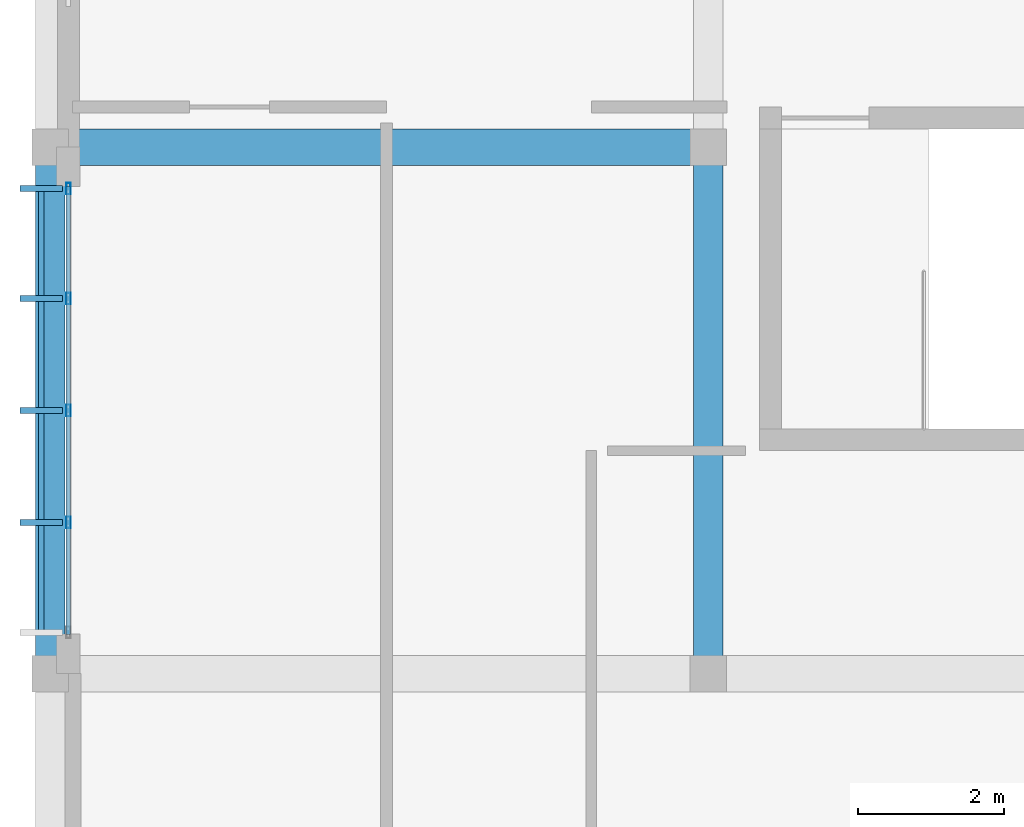
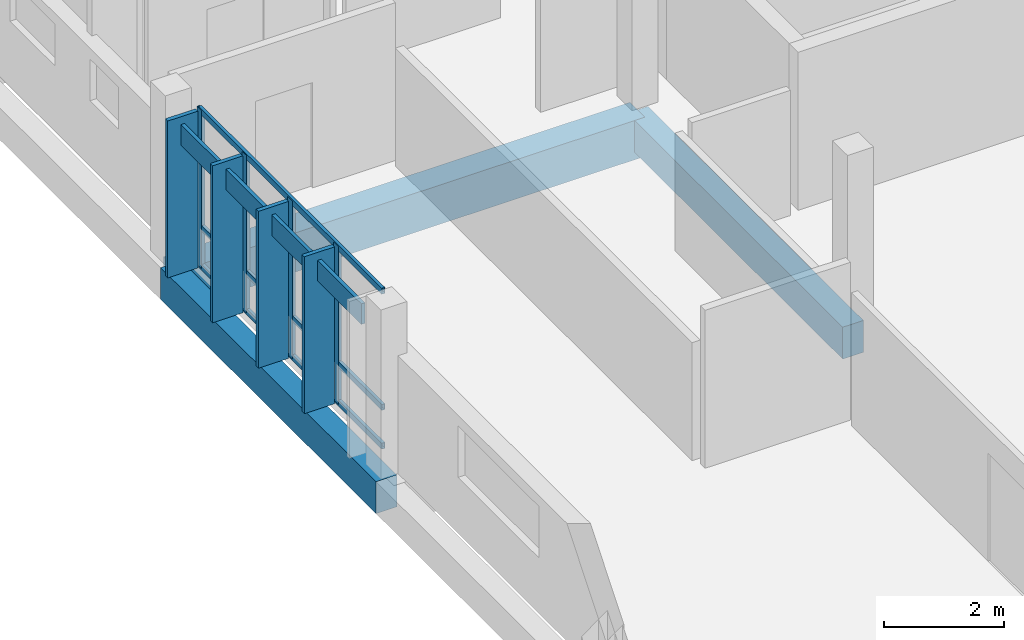
# One storey, part 7 of 24: 12 members, 3 beams, 1 element without a shape of its own.
"""IFC4 building model written with IfcOpenShell, lengths in metres."""

from ifc_helpers import new_model, si_unit, direction, frame, origin, origin_2d, place, context, subcontext, project, spatial, rectangle, hollow_rectangle, extrude, material, material_profile, profile_set, type_object, element, aggregate, save


model = new_model("IFC4")

# Units and contexts
model_context = context("Model", 3, precision=1e-05, world=origin(), true_north=direction((0.0, 1.0)))
body_context = subcontext(model_context, "Body", "Model", "MODEL_VIEW")
ifc_project = project(units=[si_unit("LENGTHUNIT", "METRE"), si_unit("AREAUNIT", "SQUARE_METRE"), si_unit("VOLUMEUNIT", "CUBIC_METRE"), si_unit("PLANEANGLEUNIT", "RADIAN"), si_unit("MASSUNIT", "GRAM", prefix="KILO")], contexts=[model_context])

# Site, building, storey
site_placement = place(None, origin())
site = spatial("IfcSite", under=ifc_project, at=site_placement, CompositionType="ELEMENT")
building_placement = place(site_placement, origin())
building = spatial("IfcBuilding", under=site, at=building_placement, Name="Chiffa Square Polytechnic", CompositionType="ELEMENT")
storey_placement = place(building_placement, frame((0.0, 0.0, 26.39990234375)))
storey = spatial("IfcBuildingStorey", under=building, at=storey_placement, Name="L06", CompositionType="ELEMENT", Elevation=26.39990234375)

# Beams
ifc_material_1 = material(Name="Concrete C35/45", Category="concrete")
ifc_material_profile_1 = material_profile(ifc_material_1, rectangle(XDim=0.39990234375, YDim=0.64990234375, at=origin_2d()), Name="RC 400x650")
ifc_profile_set_1 = profile_set([ifc_material_profile_1], Name="Concrete C35/45")
beam_type_1 = type_object("IfcBeamType", Name="BM-RC-400X650", PredefinedType="BEAM", material=ifc_profile_set_1)
for number, where, z_axis, x_axis, name in (
    (1, (112.199951171875, 14.39990234375, -0.544921875), (0.0, 1.0, 0.0), (-1.0, 0.0, 0.0), "Primary floor girder BM-V1-L06-Y-1122-0144"),
    (2, (121.199951171875, 14.39990234375, -0.544921875), (0.0, 1.0, 0.0), (-1.0, 0.0, 0.0), "Primary floor girder BM-V1-L06-Y-1212-0144"),
):
    element("IfcBeam", number, at=place(storey_placement, frame(where, z_axis=z_axis, x_axis=x_axis)), inside=storey, type_object=beam_type_1, Name=name, PredefinedType="BEAM", context=body_context, shape_type="SweptSolid", body=[
        extrude(rectangle(XDim=0.39990234375, YDim=0.64990234375, at=origin_2d()), origin(), (0.0, 0.0, 1.0), 7.2001953125),
    ])
ifc_material_2 = material(Name="Concrete C40/50", Category="concrete")
ifc_material_profile_2 = material_profile(ifc_material_2, rectangle(XDim=0.5, YDim=0.800048828125, at=origin_2d()), Name="RC 500x800")
ifc_profile_set_2 = profile_set([ifc_material_profile_2], Name="Concrete C40/50")
beam_type_2 = type_object("IfcBeamType", Name="BM-RC-500X800", PredefinedType="BEAM", material=ifc_profile_set_2)
beam_placement = place(storey_placement, frame((112.199951171875, 21.60009765625, -0.619873046875), z_axis=(1.0, 0.0, 0.0), x_axis=(0.0, 1.0, 0.0)))
element("IfcBeam", 3, at=beam_placement, inside=storey, type_object=beam_type_2, Name="Primary floor girder BM-V1-L06-X-1122-0216", PredefinedType="BEAM", context=body_context, shape_type="SweptSolid", body=[
    extrude(rectangle(XDim=0.5, YDim=0.800048828125, at=origin_2d()), origin(), (0.0, 0.0, 1.0), 9.0),
])

# Curtain wall, members
ifc_material_3 = material(Name="Aluminium EN AW-6060 T66 and glulam shading", Category="wood")
curtain_wall_type = type_object("IfcCurtainWallType", Name="CW-VERT-600X440", PredefinedType="USERDEFINED", material=ifc_material_3)
curtain_wall_placement = place(storey_placement, origin())
curtain_wall = element("IfcCurtainWall", 4, at=curtain_wall_placement, inside=storey, type_object=curtain_wall_type, Name="Curtain wall CW-V1-L06-145", ObjectType="CURTAIN WALL", PredefinedType="USERDEFINED")
ifc_material_4 = material(Name="Aluminium EN AW-6060 T66", Category="aluminium")
ifc_material_profile_3 = material_profile(ifc_material_4, hollow_rectangle(XDim=0.06005859375, YDim=0.159912109375, WallThickness=0.00390625, at=origin_2d()), Name="ALU 60x160x4")
ifc_profile_set_3 = profile_set([ifc_material_profile_3], Name="Aluminium EN AW-6060 T66")
member_type_1 = type_object("IfcMemberType", Name="CWM-ALU-65X150", PredefinedType="MULLION", material=ifc_profile_set_3)
member_1_placement = place(storey_placement, frame((112.449951171875, 21.034912109375, 0.0), z_axis=(0.0, 0.0, 1.0), x_axis=(1.0, 0.0, 0.0)))
member_1 = element("IfcMember", 5, at=member_1_placement, type_object=member_type_1, Name="Curtain wall mullion CW-V1-L06-145-M00", PredefinedType="MULLION", context=body_context, shape_type="SweptSolid", body=[
    extrude(hollow_rectangle(XDim=0.06005859375, YDim=0.159912109375, WallThickness=0.00390625, at=origin_2d()), origin(), (0.0, 0.0, 1.0), 3.22021484375),
])
member_2_placement = place(storey_placement, frame((112.449951171875, 19.530029296875, 0.0), z_axis=(0.0, 0.0, 1.0), x_axis=(1.0, 0.0, 0.0)))
member_2 = element("IfcMember", 6, at=member_2_placement, type_object=member_type_1, Name="Curtain wall mullion CW-V1-L06-145-M01", PredefinedType="MULLION", context=body_context, shape_type="SweptSolid", body=[
    extrude(hollow_rectangle(XDim=0.06005859375, YDim=0.159912109375, WallThickness=0.00390625, at=origin_2d()), origin(), (0.0, 0.0, 1.0), 3.22021484375),
])
member_3_placement = place(storey_placement, frame((112.449951171875, 18.0, 0.0), z_axis=(0.0, 0.0, 1.0), x_axis=(1.0, 0.0, 0.0)))
member_3 = element("IfcMember", 7, at=member_3_placement, type_object=member_type_1, Name="Curtain wall mullion CW-V1-L06-145-M02", PredefinedType="MULLION", context=body_context, shape_type="SweptSolid", body=[
    extrude(hollow_rectangle(XDim=0.06005859375, YDim=0.159912109375, WallThickness=0.00390625, at=origin_2d()), origin(), (0.0, 0.0, 1.0), 3.22021484375),
])
member_4_placement = place(storey_placement, frame((112.449951171875, 16.469970703125, 0.0), z_axis=(0.0, 0.0, 1.0), x_axis=(1.0, 0.0, 0.0)))
member_4 = element("IfcMember", 8, at=member_4_placement, type_object=member_type_1, Name="Curtain wall mullion CW-V1-L06-145-M03", PredefinedType="MULLION", context=body_context, shape_type="SweptSolid", body=[
    extrude(hollow_rectangle(XDim=0.06005859375, YDim=0.159912109375, WallThickness=0.00390625, at=origin_2d()), origin(), (0.0, 0.0, 1.0), 3.22021484375),
])
ifc_material_5 = material(Name="Glulam GL28h", Category="wood")
ifc_material_profile_4 = material_profile(ifc_material_5, rectangle(XDim=0.080078125, YDim=0.580078125, at=origin_2d()), Name="GL28h 80x580")
ifc_profile_set_4 = profile_set([ifc_material_profile_4], Name="Glulam GL28h")
member_type_2 = type_object("IfcMemberType", Name="CWM-GL-80X580", PredefinedType="MULLION", material=ifc_profile_set_4)
member_5_placement = place(storey_placement, frame((112.077880859375, 21.034912109375, 0.010009765625), z_axis=(0.0, 0.0, 1.0), x_axis=(0.0, -1.0, 0.0)))
member_5 = element("IfcMember", 9, at=member_5_placement, type_object=member_type_2, Name="Exterior glulam solar fin CW-V1-L06-145-FN00", PredefinedType="MULLION", context=body_context, shape_type="SweptSolid", body=[
    extrude(rectangle(XDim=0.080078125, YDim=0.580078125, at=origin_2d()), origin(), (0.0, 0.0, 1.0), 3.2001953125),
])
member_6_placement = place(storey_placement, frame((112.077880859375, 19.530029296875, 0.010009765625), z_axis=(0.0, 0.0, 1.0), x_axis=(0.0, -1.0, 0.0)))
member_6 = element("IfcMember", 10, at=member_6_placement, type_object=member_type_2, Name="Exterior glulam solar fin CW-V1-L06-145-FN01", PredefinedType="MULLION", context=body_context, shape_type="SweptSolid", body=[
    extrude(rectangle(XDim=0.080078125, YDim=0.580078125, at=origin_2d()), origin(), (0.0, 0.0, 1.0), 3.2001953125),
])
member_7_placement = place(storey_placement, frame((112.077880859375, 18.0, 0.010009765625), z_axis=(0.0, 0.0, 1.0), x_axis=(0.0, -1.0, 0.0)))
member_7 = element("IfcMember", 11, at=member_7_placement, type_object=member_type_2, Name="Exterior glulam solar fin CW-V1-L06-145-FN02", PredefinedType="MULLION", context=body_context, shape_type="SweptSolid", body=[
    extrude(rectangle(XDim=0.080078125, YDim=0.580078125, at=origin_2d()), origin(), (0.0, 0.0, 1.0), 3.2001953125),
])
member_8_placement = place(storey_placement, frame((112.077880859375, 16.469970703125, 0.010009765625), z_axis=(0.0, 0.0, 1.0), x_axis=(0.0, -1.0, 0.0)))
member_8 = element("IfcMember", 12, at=member_8_placement, type_object=member_type_2, Name="Exterior glulam solar fin CW-V1-L06-145-FN03", PredefinedType="MULLION", context=body_context, shape_type="SweptSolid", body=[
    extrude(rectangle(XDim=0.080078125, YDim=0.580078125, at=origin_2d()), origin(), (0.0, 0.0, 1.0), 3.2001953125),
])
ifc_material_profile_5 = material_profile(ifc_material_4, hollow_rectangle(XDim=0.06005859375, YDim=0.1201171875, WallThickness=0.00390625, at=origin_2d()), Name="ALU 60x120x4")
ifc_profile_set_5 = profile_set([ifc_material_profile_5], Name="Aluminium EN AW-6060 T66")
member_type_3 = type_object("IfcMemberType", Name="CWT-ALU-65X120", PredefinedType="USERDEFINED", material=ifc_profile_set_5)
member_9_placement = place(storey_placement, frame((112.449951171875, 21.06201171875, 0.030029296875), z_axis=(0.0, -1.0, 0.0), x_axis=(1.0, 0.0, 0.0)))
member_9 = element("IfcMember", 13, at=member_9_placement, type_object=member_type_3, Name="Curtain wall transom CW-V1-L06-145-T01", ObjectType="TRANSOM", PredefinedType="USERDEFINED", context=body_context, shape_type="SweptSolid", body=[
    extrude(hollow_rectangle(XDim=0.06005859375, YDim=0.1201171875, WallThickness=0.00390625, at=origin_2d()), origin(), (0.0, 0.0, 1.0), 6.1240234375),
])
member_10_placement = place(storey_placement, frame((112.449951171875, 21.06201171875, 0.820068359375), z_axis=(0.0, -1.0, 0.0), x_axis=(1.0, 0.0, 0.0)))
member_10 = element("IfcMember", 14, at=member_10_placement, type_object=member_type_3, Name="Curtain wall transom CW-V1-L06-145-T02", ObjectType="TRANSOM", PredefinedType="USERDEFINED", context=body_context, shape_type="SweptSolid", body=[
    extrude(hollow_rectangle(XDim=0.06005859375, YDim=0.1201171875, WallThickness=0.00390625, at=origin_2d()), origin(), (0.0, 0.0, 1.0), 6.1240234375),
])
member_11_placement = place(storey_placement, frame((112.449951171875, 21.06201171875, 3.190185546875), z_axis=(0.0, -1.0, 0.0), x_axis=(1.0, 0.0, 0.0)))
member_11 = element("IfcMember", 15, at=member_11_placement, type_object=member_type_3, Name="Curtain wall transom CW-V1-L06-145-T03", ObjectType="TRANSOM", PredefinedType="USERDEFINED", context=body_context, shape_type="SweptSolid", body=[
    extrude(hollow_rectangle(XDim=0.06005859375, YDim=0.1201171875, WallThickness=0.00390625, at=origin_2d()), origin(), (0.0, 0.0, 1.0), 6.1240234375),
])
ifc_material_profile_6 = material_profile(ifc_material_5, rectangle(XDim=0.070068359375, YDim=0.419921875, at=origin_2d()), Name="GL28h 70x420")
ifc_profile_set_6 = profile_set([ifc_material_profile_6], Name="Glulam GL28h")
member_type_4 = type_object("IfcMemberType", Name="CWT-GL-70X420", PredefinedType="USERDEFINED", material=ifc_profile_set_6)
member_12_placement = place(storey_placement, frame((112.077880859375, 21.034912109375, 2.840087890625), z_axis=(0.0, -1.0, 0.0), x_axis=(1.0, 0.0, 0.0)))
member_12 = element("IfcMember", 16, at=member_12_placement, type_object=member_type_4, Name="Exterior glulam brise-soleil CW-V1-L06-145-BS01", ObjectType="TRANSOM", PredefinedType="USERDEFINED", context=body_context, shape_type="SweptSolid", body=[
    extrude(rectangle(XDim=0.070068359375, YDim=0.419921875, at=origin_2d()), origin(), (0.0, 0.0, 1.0), 6.06982421875),
])
aggregate(curtain_wall, [member_1, member_5, member_2, member_6, member_3, member_7, member_4, member_8, member_9, member_10, member_11, member_12])

save(model, "model.ifc")
